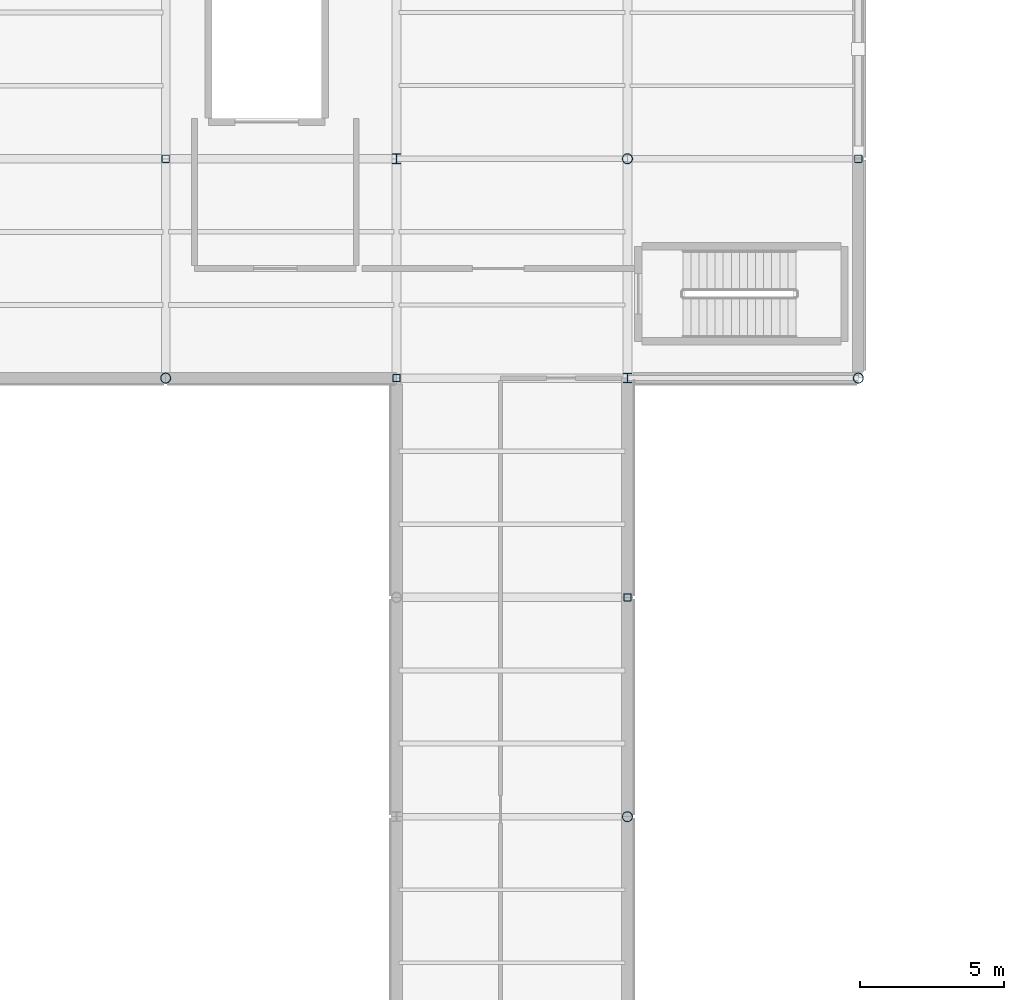
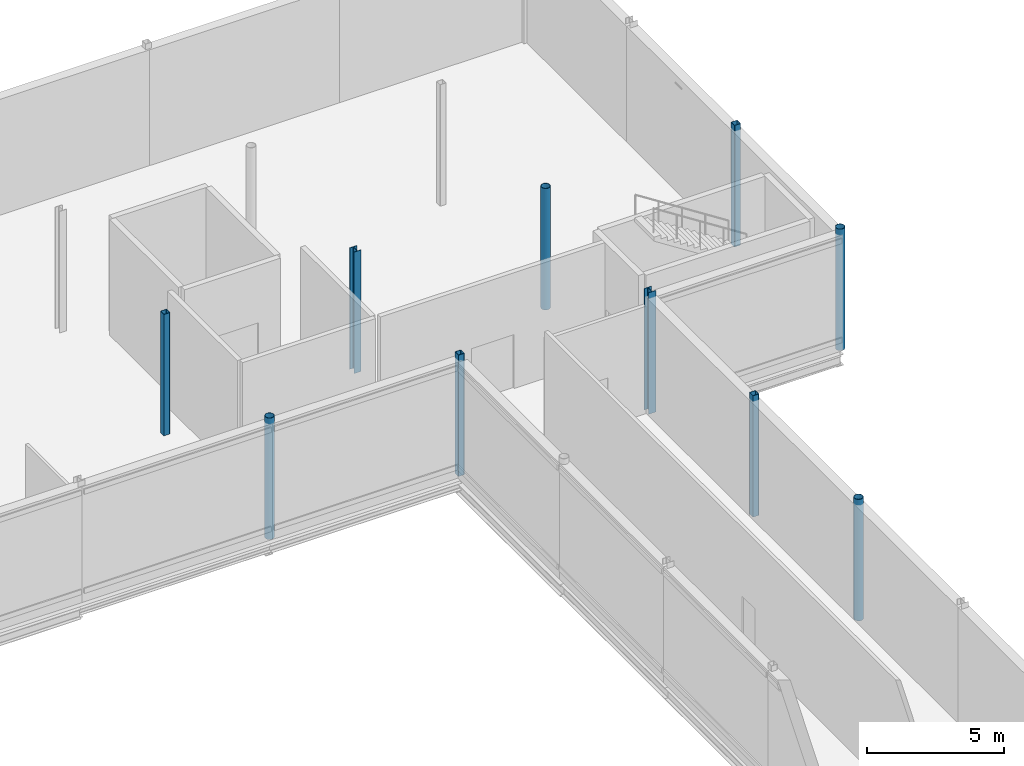
# One storey, part 11 of 147: 10 columns.
"""IFC4 building model written with IfcOpenShell, lengths in metres."""

from ifc_helpers import new_model, si_unit, direction, frame, origin, origin_2d, place, context, subcontext, project, spatial, hollow_rectangle, hollow_circle, i_section, extrude, material, material_profile, profile_set, type_object, element, save


model = new_model("IFC4")

# Units and contexts
model_context = context("Model", 3, precision=1e-05, world=origin(), true_north=direction((0.0, 1.0)))
body_context = subcontext(model_context, "Body", "Model", "MODEL_VIEW")
ifc_project = project(units=[si_unit("LENGTHUNIT", "METRE"), si_unit("AREAUNIT", "SQUARE_METRE"), si_unit("VOLUMEUNIT", "CUBIC_METRE"), si_unit("PLANEANGLEUNIT", "RADIAN"), si_unit("MASSUNIT", "GRAM", prefix="KILO")], contexts=[model_context])

# Site, building, storey
site_placement = place(None, origin())
site = spatial("IfcSite", under=ifc_project, at=site_placement, CompositionType="ELEMENT")
building_placement = place(site_placement, origin())
building = spatial("IfcBuilding", under=site, at=building_placement, Name="Vekula Escarpment Museum", CompositionType="ELEMENT")
storey_placement = place(building_placement, frame((0.0, 0.0, 7.800048828125)))
storey = spatial("IfcBuildingStorey", under=building, at=storey_placement, Name="L02", CompositionType="ELEMENT", Elevation=7.800048828125)

# Columns
ifc_material_1 = material(Name="Steel S355", Category="steel")
ifc_material_profile_1 = material_profile(ifc_material_1, hollow_circle(Radius=0.177734375, WallThickness=0.01611328125, at=origin_2d()), Name="CHS 355.6x16")
ifc_profile_set_1 = profile_set([ifc_material_profile_1], Name="Steel S355")
column_type_1 = type_object("IfcColumnType", Name="COL-S-CHS355", PredefinedType="COLUMN", material=ifc_profile_set_1)
for number, where, z_axis, x_axis, name in (
    (1, (32.0, 113.199951171875, 0.0), (0.0, 0.0, 1.0), (1.0, 0.0, 0.0), "Column L02 (32.0,113.2)"),
    (2, (48.0, 98.0, 0.0), (0.0, 0.0, 1.0), (1.0, 0.0, 0.0), "Column L02 (48.0,98.0)"),
    (3, (48.0, 120.800048828125, 0.0), (0.0, 0.0, 1.0), (1.0, 0.0, 0.0), "Column L02 (48.0,120.8)"),
    (4, (56.0, 113.199951171875, 0.0), (0.0, 0.0, 1.0), (1.0, 0.0, 0.0), "Column L02 (56.0,113.2)"),
):
    element("IfcColumn", number, at=place(storey_placement, frame(where, z_axis=z_axis, x_axis=x_axis)), inside=storey, type_object=column_type_1, Name=name, PredefinedType="COLUMN", context=body_context, shape_type="SweptSolid", body=[
        extrude(hollow_circle(Radius=0.177734375, WallThickness=0.01611328125, at=origin_2d()), origin(), (0.0, 0.0, 1.0), 5.39990234375),
    ])
ifc_material_2 = material(Name="Steel S355", Category="steel")
ifc_material_profile_2 = material_profile(ifc_material_2, i_section(OverallWidth=0.300048828125, OverallDepth=0.330078125, WebThickness=0.009521484375, FlangeThickness=0.0166015625, FilletRadius=0.027099609375, at=origin_2d()), Name="HEA 340")
ifc_profile_set_2 = profile_set([ifc_material_profile_2], Name="Steel S355")
column_type_2 = type_object("IfcColumnType", Name="COL-S-HEA340", PredefinedType="COLUMN", material=ifc_profile_set_2)
for number, where, z_axis, x_axis, name in (
    (5, (40.0, 120.800048828125, 0.0), (0.0, 0.0, 1.0), (1.0, 0.0, 0.0), "Column L02 (40.0,120.8)"),
    (6, (48.0, 113.199951171875, 0.0), (0.0, 0.0, 1.0), (1.0, 0.0, 0.0), "Column L02 (48.0,113.2)"),
):
    element("IfcColumn", number, at=place(storey_placement, frame(where, z_axis=z_axis, x_axis=x_axis)), inside=storey, type_object=column_type_2, Name=name, PredefinedType="COLUMN", context=body_context, shape_type="SweptSolid", body=[
        extrude(i_section(OverallWidth=0.300048828125, OverallDepth=0.330078125, WebThickness=0.009521484375, FlangeThickness=0.0166015625, FilletRadius=0.027099609375, at=origin_2d()), origin(), (0.0, 0.0, 1.0), 5.39990234375),
    ])
ifc_material_3 = material(Name="Steel S355", Category="steel")
ifc_material_profile_3 = material_profile(ifc_material_3, hollow_rectangle(XDim=0.260009765625, YDim=0.260009765625, WallThickness=0.012451171875, InnerFilletRadius=0.012451171875, OuterFilletRadius=0.02490234375, at=origin_2d()), Name="SHS 260x260x12.5")
ifc_profile_set_3 = profile_set([ifc_material_profile_3], Name="Steel S355")
column_type_3 = type_object("IfcColumnType", Name="COL-S-SHS260", PredefinedType="COLUMN", material=ifc_profile_set_3)
for number, where, z_axis, x_axis, name in (
    (7, (32.0, 120.800048828125, 0.0), (0.0, 0.0, 1.0), (1.0, 0.0, 0.0), "Column L02 (32.0,120.8)"),
    (8, (40.0, 113.199951171875, 0.0), (0.0, 0.0, 1.0), (1.0, 0.0, 0.0), "Column L02 (40.0,113.2)"),
    (9, (48.0, 105.60009765625, 0.0), (0.0, 0.0, 1.0), (1.0, 0.0, 0.0), "Column L02 (48.0,105.6)"),
    (10, (56.0, 120.800048828125, 0.0), (0.0, 0.0, 1.0), (1.0, 0.0, 0.0), "Column L02 (56.0,120.8)"),
):
    element("IfcColumn", number, at=place(storey_placement, frame(where, z_axis=z_axis, x_axis=x_axis)), inside=storey, type_object=column_type_3, Name=name, PredefinedType="COLUMN", context=body_context, shape_type="SweptSolid", body=[
        extrude(hollow_rectangle(XDim=0.260009765625, YDim=0.260009765625, WallThickness=0.012451171875, InnerFilletRadius=0.012451171875, OuterFilletRadius=0.02490234375, at=origin_2d()), origin(), (0.0, 0.0, 1.0), 5.39990234375),
    ])

save(model, "model.ifc")
